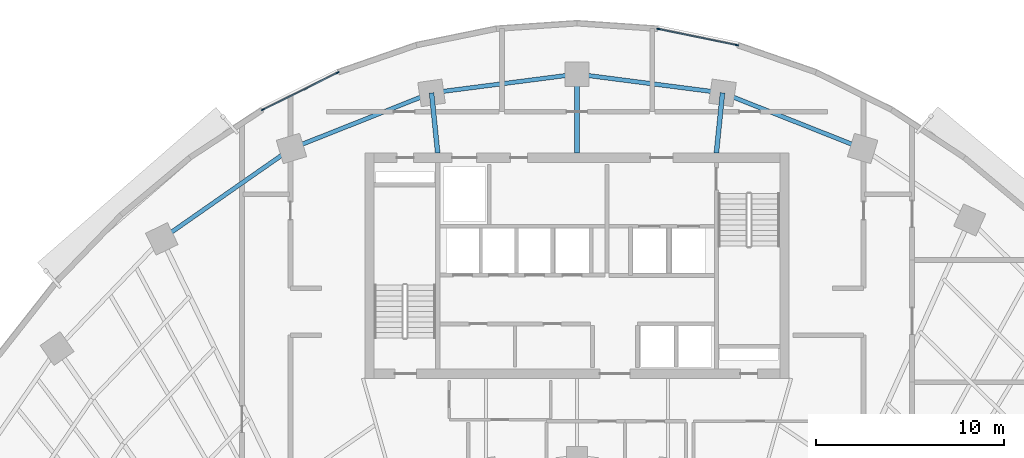
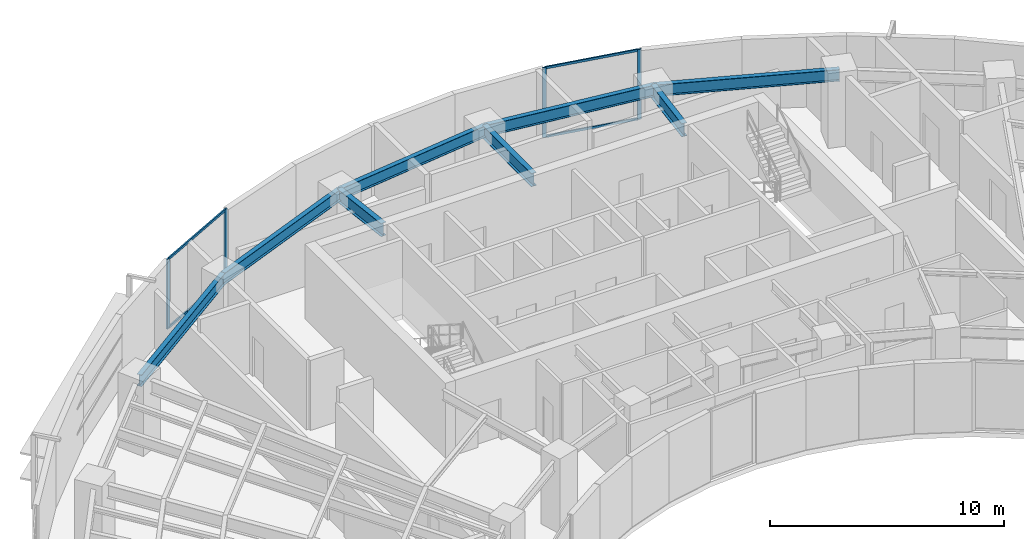
# One storey, part 5 of 14: 8 beams, 8 members, 2 elements without a shape of their own.
"""IFC4 building model written with IfcOpenShell, lengths in metres."""

from ifc_helpers import new_model, si_unit, direction, frame, origin, origin_2d, place, context, subcontext, project, spatial, rectangle, i_section, extrude, source, transform, mapped, material, layer, layer_set, material_profile, profile_set, type_object, element, aggregate, save


model = new_model("IFC4")

# Units and contexts
model_context = context("Model", 3, precision=1e-05, world=origin(), true_north=direction((0.0, 1.0)))
body_context = subcontext(model_context, "Body", "Model", "MODEL_VIEW")
ifc_project = project(units=[si_unit("LENGTHUNIT", "METRE"), si_unit("AREAUNIT", "SQUARE_METRE"), si_unit("VOLUMEUNIT", "CUBIC_METRE"), si_unit("PLANEANGLEUNIT", "RADIAN"), si_unit("MASSUNIT", "GRAM", prefix="KILO")], contexts=[model_context])

# Site, building, storey
site_placement = place(None, origin())
site = spatial("IfcSite", under=ifc_project, at=site_placement, CompositionType="ELEMENT")
building_placement = place(site_placement, origin())
building = spatial("IfcBuilding", under=site, at=building_placement, Name="Breltana Convention Tower", CompositionType="ELEMENT")
storey_placement = place(building_placement, frame((0.0, 0.0, 119.39990234375)))
storey = spatial("IfcBuildingStorey", under=building, at=storey_placement, Name="L28", CompositionType="ELEMENT", Elevation=119.39990234375)

# Beams
ifc_material_1 = material(Name="Steel ASTM A992 Grade 50", Category="steel")
ifc_material_profile_1 = material_profile(ifc_material_1, i_section(OverallWidth=0.25390625, OverallDepth=0.68798828125, WebThickness=0.01318359375, FlangeThickness=0.02099609375, at=origin_2d()), Name="W27X102")
ifc_profile_set_1 = profile_set([ifc_material_profile_1], Name="Steel ASTM A992 Grade 50")
beam_type_1 = type_object("IfcBeamType", Name="BM-RG-W27X102", PredefinedType="USERDEFINED", material=ifc_profile_set_1)
shared_shape_1 = source(origin(), body_context, "Body", "SweptSolid", [
    extrude(i_section(OverallWidth=0.25390625, OverallDepth=0.68798828125, WebThickness=0.01318359375, FlangeThickness=0.02099609375, at=origin_2d()), origin(), (0.0, 0.0, 1.0), 3.220947265625),
])
for number, where, z_axis, x_axis, name in (
    (1, (40.580078125, 72.199951171875, 3.30615234375), (-0.101492254858, 0.994836329355, 0.0), (-0.994836329355, -0.101492254858, 0.0), "L28 North Core Radial Girder R05"),
    (2, (55.419921875, 72.199951171875, 3.30615234375), (0.101492254858, 0.994836329355, 0.0), (-0.994836329355, 0.101492254858, 0.0), "L28 North Core Radial Girder R07"),
):
    element("IfcBeam", number, at=place(storey_placement, frame(where, z_axis=z_axis, x_axis=x_axis)), inside=storey, type_object=beam_type_1, Name=name, ObjectType="GIRDER", PredefinedType="USERDEFINED", context=body_context, shape_type="MappedRepresentation", body=[
        mapped(shared_shape_1, transform((0.0, 0.0, 0.0), scale=1.0)),
    ])
shared_shape_2 = source(origin(), body_context, "Body", "SweptSolid", [
    extrude(i_section(OverallWidth=0.25390625, OverallDepth=0.68798828125, WebThickness=0.01318359375, FlangeThickness=0.02099609375, at=origin_2d()), origin(), (0.0, 0.0, 1.0), 4.2041015625),
])
beam_1_placement = place(storey_placement, frame((48.0, 72.199951171875, 3.30615234375), z_axis=(0.0, 1.0, 0.0), x_axis=(-1.0, 0.0, 0.0)))
element("IfcBeam", 3, at=beam_1_placement, inside=storey, type_object=beam_type_1, Name="L28 North Core Radial Girder R06", ObjectType="GIRDER", PredefinedType="USERDEFINED", context=body_context, shape_type="MappedRepresentation", body=[
    mapped(shared_shape_2, transform((0.0, 0.0, 0.0), scale=1.0)),
])
ifc_material_profile_2 = material_profile(ifc_material_1, i_section(OverallWidth=0.22802734375, OverallDepth=0.60791015625, WebThickness=0.01123046875, FlangeThickness=0.017333984375, at=origin_2d()), Name="W24X76")
ifc_profile_set_2 = profile_set([ifc_material_profile_2], Name="Steel ASTM A992 Grade 50")
beam_type_2 = type_object("IfcBeamType", Name="BM-SP-W24X76", PredefinedType="SPANDREL", material=ifc_profile_set_2)
shared_shape_3 = source(origin(), body_context, "Body", "SweptSolid", [
    extrude(i_section(OverallWidth=0.22802734375, OverallDepth=0.60791015625, WebThickness=0.01123046875, FlangeThickness=0.017333984375, at=origin_2d()), origin(), (0.0, 0.0, 1.0), 8.4169921875),
])
beam_2_placement = place(storey_placement, frame((25.8876953125, 67.626953125, 3.34619140625), z_axis=(0.820173800102, 0.572114444519, 0.0), x_axis=(-0.572114444519, 0.820173800102, 0.0)))
element("IfcBeam", 4, at=beam_2_placement, inside=storey, type_object=beam_type_2, Name="L28 Outer Spandrel Beam 03", PredefinedType="SPANDREL", context=body_context, shape_type="MappedRepresentation", body=[
    mapped(shared_shape_3, transform((0.0, 0.0, 0.0), scale=1.0)),
])
shared_shape_4 = source(origin(), body_context, "Body", "SweptSolid", [
    extrude(i_section(OverallWidth=0.22802734375, OverallDepth=0.60791015625, WebThickness=0.01123046875, FlangeThickness=0.017333984375, at=origin_2d()), origin(), (0.0, 0.0, 1.0), 8.028564453125),
])
for number, where, z_axis, x_axis, name in (
    (5, (32.791015625, 72.4423828125, 3.34619140625), (0.929459100394, 0.368925169507, 0.0), (-0.368925169507, 0.929459100394, 0.0), "L28 Outer Spandrel Beam 04"),
    (6, (55.746826171875, 75.404296875, 3.34619140625), (0.929459100394, -0.368925169507, 0.0), (0.368925169507, 0.929459100394, 0.0), "L28 Outer Spandrel Beam 07"),
):
    element("IfcBeam", number, at=place(storey_placement, frame(where, z_axis=z_axis, x_axis=x_axis)), inside=storey, type_object=beam_type_2, Name=name, PredefinedType="SPANDREL", context=body_context, shape_type="MappedRepresentation", body=[
        mapped(shared_shape_4, transform((0.0, 0.0, 0.0), scale=1.0)),
    ])
shared_shape_5 = source(origin(), body_context, "Body", "SweptSolid", [
    extrude(i_section(OverallWidth=0.22802734375, OverallDepth=0.60791015625, WebThickness=0.01123046875, FlangeThickness=0.017333984375, at=origin_2d()), origin(), (0.0, 0.0, 1.0), 7.81103515625),
])
for number, where, z_axis, x_axis, name in (
    (7, (40.253173828125, 75.404296875, 3.34619140625), (0.991775179127, 0.127992164083, 0.0), (-0.127992164083, 0.991775179127, 0.0), "L28 Outer Spandrel Beam 05"),
    (8, (48.0, 76.404052734375, 3.34619140625), (0.991775179127, -0.127992164083, 0.0), (0.127992164083, 0.991775179127, 0.0), "L28 Outer Spandrel Beam 06"),
):
    element("IfcBeam", number, at=place(storey_placement, frame(where, z_axis=z_axis, x_axis=x_axis)), inside=storey, type_object=beam_type_2, Name=name, PredefinedType="SPANDREL", context=body_context, shape_type="MappedRepresentation", body=[
        mapped(shared_shape_5, transform((0.0, 0.0, 0.0), scale=1.0)),
    ])

# Curtain wall, members
ifc_material_2 = material(Name="Aluminium Anodised Bronze Frame", Category="aluminium")
ifc_layer = layer(ifc_material_2, 0.22998046875, Name="Aluminium Anodised Bronze Frame")
ifc_layer_set = layer_set([ifc_layer], Name="Aluminium Anodised Bronze Frame")
curtain_wall_type = type_object("IfcCurtainWallType", Name="CW-SYS-5", PredefinedType="NOTDEFINED", material=ifc_layer_set)
curtain_wall_1_placement = place(storey_placement, origin())
curtain_wall_1 = element("IfcCurtainWall", 9, at=curtain_wall_1_placement, inside=storey, type_object=curtain_wall_type, Name="L28 outer double-skin inner glazing 2", PredefinedType="NOTDEFINED")
ifc_material_3 = material(Name="Aluminium Anodised Bronze", Category="aluminium")
ifc_material_profile_3 = material_profile(ifc_material_3, rectangle(XDim=0.070068359375, YDim=0.1201171875, at=origin_2d()), Name="CWT-70X120")
ifc_profile_set_3 = profile_set([ifc_material_profile_3], Name="Aluminium Anodised Bronze")
member_type_1 = type_object("IfcMemberType", Name="CWT-120", PredefinedType="USERDEFINED", material=ifc_profile_set_3)
shared_shape_6 = source(origin(), body_context, "Body", "SweptSolid", [
    extrude(rectangle(XDim=0.070068359375, YDim=0.1201171875, at=origin_2d()), origin(), (0.0, 0.0, 1.0), 4.365478515625),
])
member_1_placement = place(storey_placement, frame((31.3115234375, 74.52734375, 0.03515625), z_axis=(0.89595425125, 0.44414634938, 0.0), x_axis=(-0.44414634938, 0.89595425125, 0.0)))
member_1 = element("IfcMember", 10, at=member_1_placement, type_object=member_type_1, Name="CW-05 transom 1.1", ObjectType="TRANSOM", PredefinedType="USERDEFINED", context=body_context, shape_type="MappedRepresentation", body=[
    mapped(shared_shape_6, transform((0.0, 0.0, 0.0), scale=1.0)),
])
member_2_placement = place(storey_placement, frame((31.3115234375, 74.52734375, 3.614990234375), z_axis=(0.89595425125, 0.44414634938, 0.0), x_axis=(-0.44414634938, 0.89595425125, 0.0)))
member_2 = element("IfcMember", 11, at=member_2_placement, type_object=member_type_1, Name="CW-05 transom 1.2", ObjectType="TRANSOM", PredefinedType="USERDEFINED", context=body_context, shape_type="MappedRepresentation", body=[
    mapped(shared_shape_6, transform((0.0, 0.0, 0.0), scale=1.0)),
])

curtain_wall_2_placement = place(storey_placement, origin())
curtain_wall_2 = element("IfcCurtainWall", 12, at=curtain_wall_2_placement, inside=storey, type_object=curtain_wall_type, Name="L28 outer double-skin inner glazing 3", PredefinedType="NOTDEFINED")
shared_shape_7 = source(origin(), body_context, "Body", "SweptSolid", [
    extrude(rectangle(XDim=0.070068359375, YDim=0.1201171875, at=origin_2d()), origin(), (0.0, 0.0, 1.0), 4.200927734375),
])
member_3_placement = place(storey_placement, frame((52.364501953125, 78.798828125, 0.03515625), z_axis=(0.979621469833, -0.200852622196, 0.0), x_axis=(0.200852622196, 0.979621469833, 0.0)))
member_3 = element("IfcMember", 13, at=member_3_placement, type_object=member_type_1, Name="CW-05 transom 1.1", ObjectType="TRANSOM", PredefinedType="USERDEFINED", context=body_context, shape_type="MappedRepresentation", body=[
    mapped(shared_shape_7, transform((0.0, 0.0, 0.0), scale=1.0)),
])
member_4_placement = place(storey_placement, frame((52.364501953125, 78.798828125, 3.614990234375), z_axis=(0.979621469833, -0.200852622196, 0.0), x_axis=(0.200852622196, 0.979621469833, 0.0)))
member_4 = element("IfcMember", 14, at=member_4_placement, type_object=member_type_1, Name="CW-05 transom 1.2", ObjectType="TRANSOM", PredefinedType="USERDEFINED", context=body_context, shape_type="MappedRepresentation", body=[
    mapped(shared_shape_7, transform((0.0, 0.0, 0.0), scale=1.0)),
])

# Member
ifc_material_profile_4 = material_profile(ifc_material_3, rectangle(XDim=0.070068359375, YDim=0.175048828125, at=origin_2d()), Name="CWM-70X175")
ifc_profile_set_4 = profile_set([ifc_material_profile_4], Name="Aluminium Anodised Bronze")
member_type_2 = type_object("IfcMemberType", Name="CWM-175", PredefinedType="MULLION", material=ifc_profile_set_4)
shared_shape_8 = source(origin(), body_context, "Body", "SweptSolid", [
    extrude(rectangle(XDim=0.070068359375, YDim=0.175048828125, at=origin_2d()), origin(), (0.0, 0.0, 1.0), 3.650146484375),
])
member_5_placement = place(storey_placement, frame((31.280029296875, 74.511962890625, 0.0), z_axis=(0.0, 0.0, 1.0), x_axis=(-0.444121541007, 0.895966548937, 0.0)))
member_5 = element("IfcMember", 15, at=member_5_placement, type_object=member_type_2, Name="CW-05 mullion 1", PredefinedType="MULLION", context=body_context, shape_type="MappedRepresentation", body=[
    mapped(shared_shape_8, transform((0.0, 0.0, 0.0), scale=1.0)),
])

member_6_placement = place(storey_placement, frame((35.25439453125, 76.48193359375, 0.0), z_axis=(0.0, 0.0, 1.0), x_axis=(-0.444121541007, 0.895966548937, 0.0)))
member_6 = element("IfcMember", 16, at=member_6_placement, type_object=member_type_2, Name="CW-05 mullion 2", PredefinedType="MULLION", context=body_context, shape_type="MappedRepresentation", body=[
    mapped(shared_shape_8, transform((0.0, 0.0, 0.0), scale=1.0)),
])

aggregate(curtain_wall_1, [member_5, member_6, member_1, member_2])

member_7_placement = place(storey_placement, frame((52.330078125, 78.805908203125, 0.0), z_axis=(0.0, 0.0, 1.0), x_axis=(0.200858550415, 0.979620254346, 0.0)))
member_7 = element("IfcMember", 17, at=member_7_placement, type_object=member_type_2, Name="CW-05 mullion 1", PredefinedType="MULLION", context=body_context, shape_type="MappedRepresentation", body=[
    mapped(shared_shape_8, transform((0.0, 0.0, 0.0), scale=1.0)),
])

member_8_placement = place(storey_placement, frame((56.513916015625, 77.947998046875, 0.0), z_axis=(0.0, 0.0, 1.0), x_axis=(0.200858550415, 0.979620254346, 0.0)))
member_8 = element("IfcMember", 18, at=member_8_placement, type_object=member_type_2, Name="CW-05 mullion 2", PredefinedType="MULLION", context=body_context, shape_type="MappedRepresentation", body=[
    mapped(shared_shape_8, transform((0.0, 0.0, 0.0), scale=1.0)),
])

aggregate(curtain_wall_2, [member_7, member_8, member_3, member_4])

save(model, "model.ifc")
